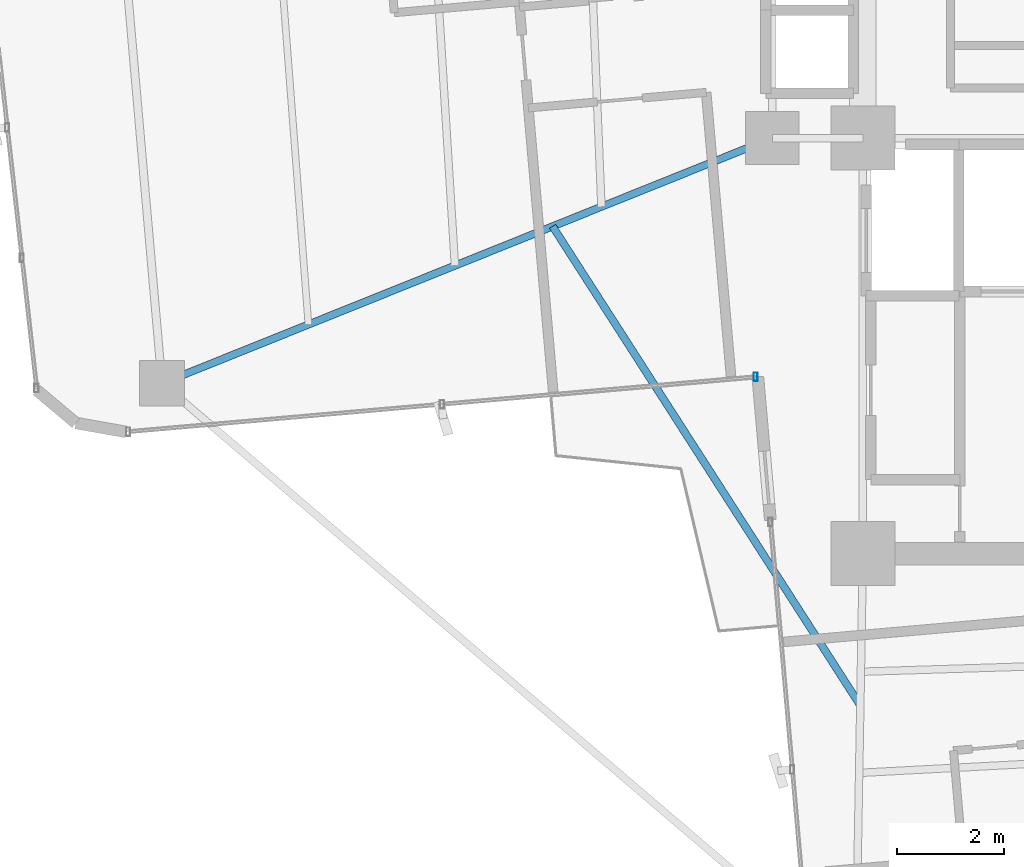
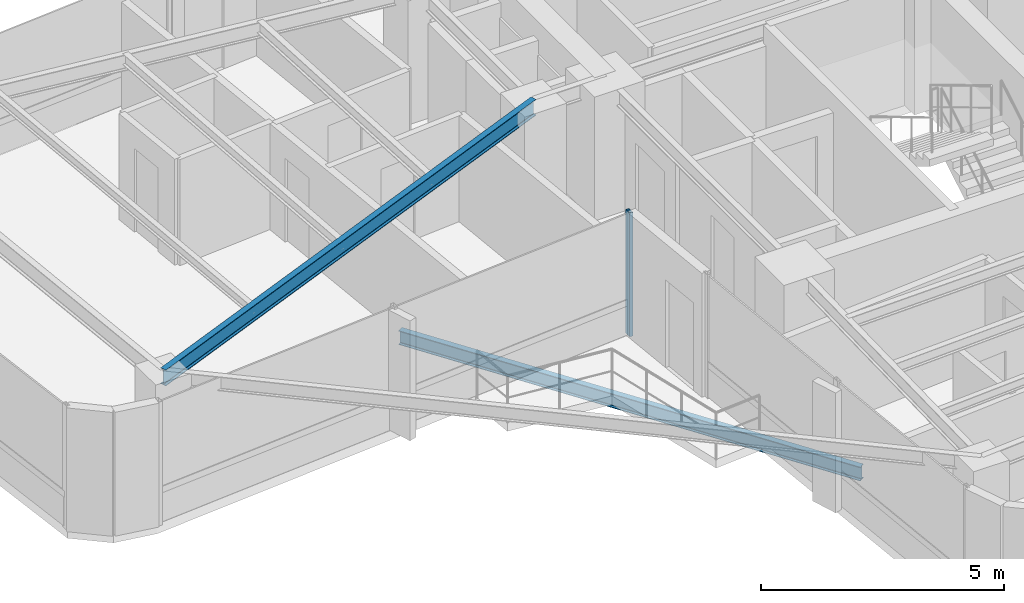
# One storey, part 5 of 24: 2 beams, 1 member, 1 element without a shape of its own.
"""IFC4 building model written with IfcOpenShell, lengths in metres."""

from ifc_helpers import new_model, si_unit, direction, frame, origin, origin_2d, place, context, subcontext, project, spatial, hollow_rectangle, i_section, extrude, source, transform, mapped, material, material_profile, profile_set, type_object, element, aggregate, save


model = new_model("IFC4")

# Units and contexts
model_context = context("Model", 3, precision=1e-05, world=origin(), true_north=direction((0.0, 1.0)))
body_context = subcontext(model_context, "Body", "Model", "MODEL_VIEW")
ifc_project = project(units=[si_unit("LENGTHUNIT", "METRE"), si_unit("AREAUNIT", "SQUARE_METRE"), si_unit("VOLUMEUNIT", "CUBIC_METRE"), si_unit("PLANEANGLEUNIT", "RADIAN"), si_unit("MASSUNIT", "GRAM", prefix="KILO")], contexts=[model_context])

# Site, building, storey
site_placement = place(None, origin())
site = spatial("IfcSite", under=ifc_project, at=site_placement, CompositionType="ELEMENT")
building_placement = place(site_placement, origin())
building = spatial("IfcBuilding", under=site, at=building_placement, Name="Sahyath Konkavel Grand Hotel", CompositionType="ELEMENT")
storey_placement = place(building_placement, frame((0.0, 0.0, 157.300048828125)))
storey = spatial("IfcBuildingStorey", under=building, at=storey_placement, Name="L43", CompositionType="ELEMENT", Elevation=157.300048828125)

# Beam
ifc_material_1 = material(Name="Steel E350", Category="steel")
ifc_material_profile_1 = material_profile(ifc_material_1, i_section(OverallWidth=0.139892578125, OverallDepth=0.39990234375, WebThickness=0.0087890625, FlangeThickness=0.01611328125, FilletRadius=0.013916015625, at=origin_2d()), Name="ISMB 400")
ifc_profile_set_1 = profile_set([ifc_material_profile_1], Name="Steel E350")
beam_type_1 = type_object("IfcBeamType", Name="BM-ISMB400", PredefinedType="BEAM", material=ifc_profile_set_1)
shared_shape_1 = source(origin(), body_context, "Body", "SweptSolid", [
    extrude(i_section(OverallWidth=0.139892578125, OverallDepth=0.39990234375, WebThickness=0.0087890625, FlangeThickness=0.01611328125, FilletRadius=0.013916015625, at=origin_2d()), origin(), (0.0, 0.0, 1.0), 12.344970703125),
])
beam_1_placement = place(storey_placement, frame((-5.5, -2.39990234375, 2.909912109375), z_axis=(-0.927837014101, -0.372985891507, 0.0), x_axis=(0.372985891507, -0.927837014101, 0.0)))
element("IfcBeam", 1, at=beam_1_placement, inside=storey, type_object=beam_type_1, Name="L43 Cruciform Radial Girder WB", PredefinedType="BEAM", context=body_context, shape_type="MappedRepresentation", body=[
    mapped(shared_shape_1, transform((0.0, 0.0, 0.0), scale=1.0)),
])

# Curtain wall, member
ifc_material_2 = material(Name="Anodised Bronze Aluminium & Low-E Glazing", Category="aluminium")
curtain_wall_type = type_object("IfcCurtainWallType", Name="CW-ZONE3", PredefinedType="NOTDEFINED", material=ifc_material_2)
curtain_wall_placement = place(storey_placement, origin())
curtain_wall = element("IfcCurtainWall", 2, at=curtain_wall_placement, inside=storey, type_object=curtain_wall_type, Name="L43 Unitised Curtain Wall F23", PredefinedType="NOTDEFINED")
ifc_material_3 = material(Name="Anodised Bronze Aluminium", Category="aluminium")
ifc_material_profile_2 = material_profile(ifc_material_3, hollow_rectangle(XDim=0.080078125, YDim=0.159912109375, WallThickness=0.006103515625, at=origin_2d()), Name="RHS 160x80x6")
ifc_profile_set_2 = profile_set([ifc_material_profile_2], Name="Anodised Bronze Aluminium")
member_type = type_object("IfcMemberType", Name="CW-MUL-160", PredefinedType="MULLION", material=ifc_profile_set_2)
shared_shape_2 = source(origin(), body_context, "Body", "SweptSolid", [
    extrude(hollow_rectangle(XDim=0.080078125, YDim=0.159912109375, WallThickness=0.006103515625, at=origin_2d()), origin(), (0.0, 0.0, 1.0), 3.10986328125),
])
member_placement = place(storey_placement, frame((-5.812255859375, -6.8828125, 0.0), z_axis=(0.0, 0.0, 1.0), x_axis=(1.0, 0.0, 0.0)))
member = element("IfcMember", 3, at=member_placement, type_object=member_type, Name="L43 Curtain Wall Mullion F23-2", PredefinedType="MULLION", context=body_context, shape_type="MappedRepresentation", body=[
    mapped(shared_shape_2, transform((0.0, 0.0, 0.0), scale=1.0)),
])
aggregate(curtain_wall, [member])

# Beam
ifc_material_profile_3 = material_profile(ifc_material_1, i_section(OverallWidth=0.139892578125, OverallDepth=0.35009765625, WebThickness=0.008056640625, FlangeThickness=0.01416015625, FilletRadius=0.013916015625, at=origin_2d()), Name="ISMB 350")
ifc_profile_set_3 = profile_set([ifc_material_profile_3], Name="Steel E350")
beam_type_2 = type_object("IfcBeamType", Name="BM-BALC-CANT", PredefinedType="BEAM", material=ifc_profile_set_3)
shared_shape_3 = source(origin(), body_context, "Body", "SweptSolid", [
    extrude(i_section(OverallWidth=0.139892578125, OverallDepth=0.35009765625, WebThickness=0.008056640625, FlangeThickness=0.01416015625, FilletRadius=0.013916015625, at=origin_2d()), origin(), (0.0, 0.0, 1.0), 10.685302734375),
])
beam_2_placement = place(storey_placement, frame((-9.62353515625, -4.0576171875, -0.4150390625), z_axis=(0.540404181048, -0.841405562797, 0.0), x_axis=(0.841405562797, 0.540404181048, 0.0)))
element("IfcBeam", 4, at=beam_2_placement, inside=storey, type_object=beam_type_2, Name="L43 Balcony Cantilever Support Beam SW", PredefinedType="BEAM", context=body_context, shape_type="MappedRepresentation", body=[
    mapped(shared_shape_3, transform((0.0, 0.0, 0.0), scale=1.0)),
])

save(model, "model.ifc")
